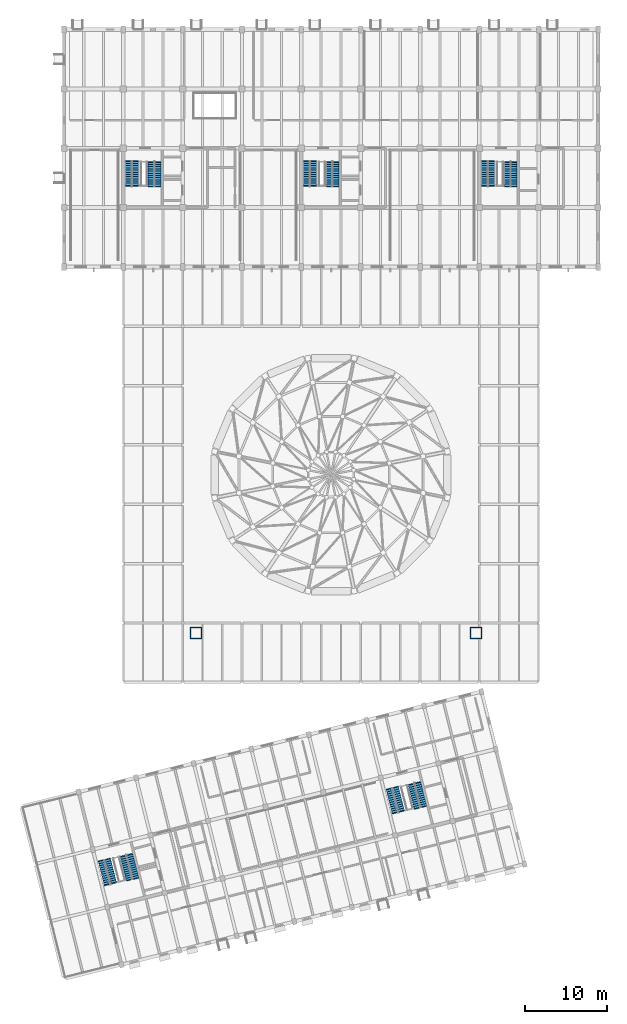
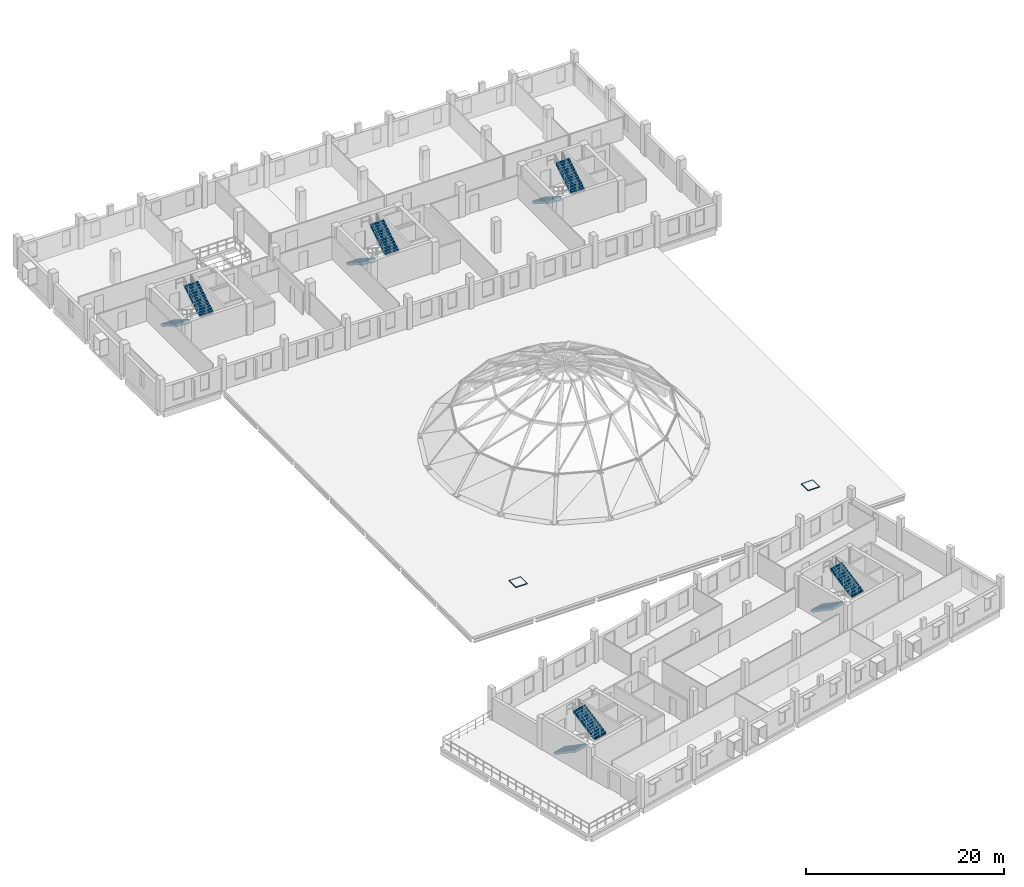
# One storey, part 30 of 32: 10 stair flights, 2 discrete accessories, 5 elements without a shape of their own.
"""IFC4 building model written with IfcOpenShell, lengths in metres."""

import ifcopenshell
import ifcopenshell.guid

model = None  # the IFC model being written
_history = None  # IfcOwnerHistory: only IFC2X3 demands one
_inside = {}  # id of a spatial element -> (the spatial element, [elements in it])
_under = {}  # id of a project, library or spatial element -> (it, [spatial elements below it])
_declared = {}  # id of a project -> (the project, [libraries it declares])
_typed = {}  # id of a type object -> (the type object, [elements of that type])
_made_of = {}  # id of a material, layer set ... -> (it, [elements and type objects made of it])


def new_model(schema):
    """Start an empty IFC model of exactly this schema.

    Asked for "IFC4X3", IfcOpenShell would pick the latest addendum, in which some entities
    have other attributes; the version numbers below select the first issue.
    IFC2X3 requires an IfcOwnerHistory on every rooted entity: one is made here for all.
    """
    global model, _history
    if schema == "IFC4X3":
        model = ifcopenshell.file(schema_version=(4, 3, 0, 0))
    else:
        model = ifcopenshell.file(schema=schema)
    _inside.clear()
    _under.clear()
    _declared.clear()
    _typed.clear()
    _made_of.clear()
    _history = None
    if model.schema == "IFC2X3":
        org = make("IfcOrganization", Name="unknown")
        user = make(
            "IfcPersonAndOrganization",
            ThePerson=make("IfcPerson", FamilyName="unknown"),
            TheOrganization=org,
        )
        app = make(
            "IfcApplication",
            ApplicationDeveloper=org,
            Version="unknown",
            ApplicationFullName="unknown",
            ApplicationIdentifier="unknown",
        )
        _history = make(
            "IfcOwnerHistory",
            OwningUser=user,
            OwningApplication=app,
            ChangeAction="ADDED",
            CreationDate=0,
        )
    return model


def make(cls, **values):
    """One entity of the class cls with the attributes given. An attribute that is None is left unset."""
    return model.create_entity(
        cls, **{name: value for name, value in values.items() if value is not None}
    )


def rooted(cls, **values):
    """An entity with a GlobalId (a new one), such as an element, a storey or a relation."""
    return make(cls, GlobalId=ifcopenshell.guid.new(), OwnerHistory=_history, **values)


def si_unit(unit_type, name, prefix=None):
    """IfcSIUnit, for example si_unit("LENGTHUNIT", "METRE", prefix="MILLI")."""
    return make("IfcSIUnit", UnitType=unit_type, Prefix=prefix, Name=name)


def assignment(units):
    """IfcUnitAssignment: the units of a project."""
    return None if units is None else make("IfcUnitAssignment", Units=units)


def point(xyz):
    """IfcCartesianPoint."""
    return None if xyz is None else make("IfcCartesianPoint", Coordinates=xyz)


def direction(xyz):
    """IfcDirection."""
    return None if xyz is None else make("IfcDirection", DirectionRatios=xyz)


def frame(location, z_axis=None, x_axis=None):
    """IfcAxis2Placement3D, a coordinate frame: its origin and axes. An axis left out is left unset."""
    return make(
        "IfcAxis2Placement3D",
        Location=point(location),
        Axis=direction(z_axis),
        RefDirection=direction(x_axis),
    )


def origin():
    """The frame at (0, 0, 0) with its axes left unset."""
    return frame((0.0, 0.0, 0.0))


def place(relative_to, where):
    """IfcLocalPlacement: puts the frame where relative to a parent placement (None: the world)."""
    return make(
        "IfcLocalPlacement", PlacementRelTo=relative_to, RelativePlacement=where
    )


def context(
    kind, dimensions, precision=None, world=None, true_north=None, identifier=None
):
    """IfcGeometricRepresentationContext, for example the 3D "Model" context."""
    return make(
        "IfcGeometricRepresentationContext",
        ContextIdentifier=identifier,
        ContextType=kind,
        CoordinateSpaceDimension=dimensions,
        Precision=precision,
        WorldCoordinateSystem=world,
        TrueNorth=true_north,
    )


def subcontext(parent, identifier, kind, view, scale=None):
    """IfcGeometricRepresentationSubContext, for example "Body" below "Model"."""
    return make(
        "IfcGeometricRepresentationSubContext",
        ContextIdentifier=identifier,
        ContextType=kind,
        ParentContext=parent,
        TargetScale=scale,
        TargetView=view,
    )


def project(units=None, contexts=None):
    """IfcProject with its units and contexts."""
    return rooted(
        "IfcProject",
        Name="project",
        RepresentationContexts=contexts,
        UnitsInContext=assignment(units),
    )


def spatial(cls, under=None, at=None, **own):
    """A site, building, storey or space (cls), placed at a placement, below another one or the project."""
    s = rooted(cls, ObjectPlacement=at, **own)
    if under is not None:
        _under.setdefault(under.id(), (under, []))[1].append(s)
    return s


def polyline(points):
    """IfcPolyline through the points."""
    return make("IfcPolyline", Points=[point(p) for p in points])


def outline(outer, holes=None, kind="AREA"):
    """IfcArbitraryClosedProfileDef: a profile drawn as a closed curve; with holes, ...WithVoids."""
    if holes is None:
        return make("IfcArbitraryClosedProfileDef", ProfileType=kind, OuterCurve=outer)
    return make(
        "IfcArbitraryProfileDefWithVoids",
        ProfileType=kind,
        OuterCurve=outer,
        InnerCurves=holes,
    )


def extrude(swept, where, along, depth):
    """IfcExtrudedAreaSolid: the profile swept, set in the frame where, extruded along a direction by depth."""
    return make(
        "IfcExtrudedAreaSolid",
        SweptArea=swept,
        Position=where,
        ExtrudedDirection=direction(along),
        Depth=depth,
    )


def shape(context_of_items, identifier, shape_type, items):
    """IfcShapeRepresentation: the items that make up one representation, for example the "Body"."""
    return make(
        "IfcShapeRepresentation",
        ContextOfItems=context_of_items,
        RepresentationIdentifier=identifier,
        RepresentationType=shape_type,
        Items=items,
    )


def material(Name=None, Category=None):
    """IfcMaterial."""
    return make("IfcMaterial", Name=Name, Category=Category)


def made_of(thing, what):
    """Note that an element or type object is made of a material, layer set ...; save() writes the relation."""
    if what is not None:
        _made_of.setdefault(what.id(), (what, []))[1].append(thing)
    return thing


def type_object(cls, material=None, **own):
    """A type object (cls), such as IfcWallType, which elements share."""
    return made_of(rooted(cls, **own), material)


def element(
    cls,
    number,
    at=None,
    inside=None,
    cuts=None,
    type_object=None,
    material=None,
    context=None,
    identifier="Body",
    shape_type=None,
    held_by="IfcProductDefinitionShape",
    body=None,
    shapes=None,
    **own,
):
    """One element of the class cls, such as IfcWall. Its Tag is "e" and its number.

    at: its placement. inside: the storey or other place that contains it. cuts: it is an
    opening in that element (IfcRelVoidsElement). A single representation is given by context,
    identifier, shape_type and body (its items); several are given by shapes. held_by: the class
    of the entity that holds the representations. save() writes the other relations.
    """
    e = rooted(cls, Tag="e%d" % number, ObjectPlacement=at, **own)
    if body is not None:
        shapes = [shape(context, identifier, shape_type, body)]
    if shapes is not None:
        e.Representation = make(held_by, Representations=shapes)
    if inside is not None:
        _inside.setdefault(inside.id(), (inside, []))[1].append(e)
    if cuts is not None:
        rooted(
            "IfcRelVoidsElement", RelatingBuildingElement=cuts, RelatedOpeningElement=e
        )
    if type_object is not None:
        _typed.setdefault(type_object.id(), (type_object, []))[1].append(e)
    return made_of(e, material)


def aggregate(whole, parts):
    """IfcRelAggregates: a whole, such as a stair, and the parts it consists of."""
    return rooted("IfcRelAggregates", RelatingObject=whole, RelatedObjects=parts)


def save(model, path):
    """Write the relations noted so far, then the file.

    IfcRelAggregates (storeys below a building ...), IfcRelContainedInSpatialStructure (elements
    in a storey), IfcRelDefinesByType, IfcRelAssociatesMaterial and IfcRelDeclares: one each for
    every whole, place, type object, material and project.
    """
    for whole, parts in _under.values():
        aggregate(whole, parts)
    for where, things in _inside.values():
        rooted(
            "IfcRelContainedInSpatialStructure",
            RelatedElements=things,
            RelatingStructure=where,
        )
    for kind, things in _typed.values():
        rooted("IfcRelDefinesByType", RelatedObjects=things, RelatingType=kind)
    for what, things in _made_of.values():
        rooted("IfcRelAssociatesMaterial", RelatedObjects=things, RelatingMaterial=what)
    for by, libraries in _declared.values():
        rooted("IfcRelDeclares", RelatingContext=by, RelatedDefinitions=libraries)
    model.write(path)


model = new_model("IFC4")

# Units and contexts
model_context = context("Model", 3, precision=1e-05, world=origin(), true_north=direction((0.0, 1.0)))
body_context = subcontext(model_context, "Body", "Model", "MODEL_VIEW")
ifc_project = project(units=[si_unit("LENGTHUNIT", "METRE"), si_unit("AREAUNIT", "SQUARE_METRE"), si_unit("VOLUMEUNIT", "CUBIC_METRE"), si_unit("PLANEANGLEUNIT", "RADIAN"), si_unit("MASSUNIT", "GRAM", prefix="KILO")], contexts=[model_context])

# Site, building, storey
site_placement = place(None, origin())
site = spatial("IfcSite", under=ifc_project, at=site_placement, CompositionType="ELEMENT")
building_placement = place(site_placement, origin())
building = spatial("IfcBuilding", under=site, at=building_placement, Name="Qiaolan Assembly House", CompositionType="ELEMENT")
storey_placement = place(building_placement, frame((0.0, 0.0, 18.60009765625)))
storey = spatial("IfcBuildingStorey", under=building, at=storey_placement, Name="L04", CompositionType="ELEMENT", Elevation=18.60009765625)

# Stair, stair flights
ifc_material = material(Name="Concrete C40/50", Category="concrete")
stair_type = type_object("IfcStairType", Name="STR-UPPER-390", PredefinedType="HALF_TURN_STAIR", material=ifc_material)
stair_1_placement = place(storey_placement, origin())
stair_1 = element("IfcStair", 1, at=stair_1_placement, inside=storey, type_object=stair_type, Name="ST-08 enclosed egress stair CORE-A L04", PredefinedType="HALF_TURN_STAIR")
stair_flight_type = type_object("IfcStairFlightType", Name="STR-UPPER-390-FLT", PredefinedType="STRAIGHT", material=ifc_material)
stair_flight_1_placement = place(storey_placement, frame((44.25, 99.2099609375, 0.0), z_axis=(0.0, 0.0, 1.0), x_axis=(0.0, -1.0, 0.0)))
stair_flight_1 = element("IfcStairFlight", 2, at=stair_flight_1_placement, type_object=stair_flight_type, Name="ST-08F stair flight FLT-CORE-A-L04-1", NumberOfRisers=12, NumberOfTreads=11, PredefinedType="STRAIGHT", RiserHeight=0.1625, TreadLength=0.265, context=body_context, shape_type="SweptSolid", body=[
    extrude(outline(polyline([(-0.10009765625, -0.1201171875), (-0.10009765625, 0.0), (0.0, 0.0), (0.0, 0.16259765625), (0.264892578125, 0.16259765625), (0.264892578125, 0.324951171875), (0.530029296875, 0.324951171875), (0.530029296875, 0.487548828125), (0.794921875, 0.487548828125), (0.794921875, 0.64990234375), (1.06005859375, 0.64990234375), (1.06005859375, 0.8125), (1.324951171875, 0.8125), (1.324951171875, 0.97509765625), (1.590087890625, 0.97509765625), (1.590087890625, 1.137451171875), (1.85498046875, 1.137451171875), (1.85498046875, 1.300048828125), (2.1201171875, 1.300048828125), (2.1201171875, 1.46240234375), (2.385009765625, 1.46240234375), (2.385009765625, 1.625), (2.64990234375, 1.625), (2.64990234375, 1.78759765625), (2.9150390625, 1.78759765625), (2.9150390625, 1.949951171875), (3.03515625, 1.949951171875), (3.03515625, 1.552978515625), (2.9150390625, 1.552978515625), (0.1865234375, -0.1201171875), (-0.10009765625, -0.1201171875)])), frame((0.0, 0.780029296875, 0.0), z_axis=(0.0, -1.0, 0.0), x_axis=(1.0, 0.0, 0.0)), (0.0, 0.0, 1.0), 1.56005859375),
])
stair_flight_2_placement = place(storey_placement, frame((47.0, 96.175048828125, 1.949951171875), z_axis=(0.0, 0.0, 1.0), x_axis=(0.0, 1.0, 0.0)))
stair_flight_2 = element("IfcStairFlight", 3, at=stair_flight_2_placement, type_object=stair_flight_type, Name="ST-08F stair flight FLT-CORE-A-L04-2", NumberOfRisers=12, NumberOfTreads=11, PredefinedType="STRAIGHT", RiserHeight=0.1625, TreadLength=0.265, context=body_context, shape_type="SweptSolid", body=[
    extrude(outline(polyline([(-0.10009765625, -0.1201171875), (-0.10009765625, 0.0), (0.0, 0.0), (0.0, 0.16259765625), (0.264892578125, 0.16259765625), (0.264892578125, 0.324951171875), (0.530029296875, 0.324951171875), (0.530029296875, 0.487548828125), (0.794921875, 0.487548828125), (0.794921875, 0.64990234375), (1.06005859375, 0.64990234375), (1.06005859375, 0.8125), (1.324951171875, 0.8125), (1.324951171875, 0.97509765625), (1.590087890625, 0.97509765625), (1.590087890625, 1.137451171875), (1.85498046875, 1.137451171875), (1.85498046875, 1.300048828125), (2.1201171875, 1.300048828125), (2.1201171875, 1.46240234375), (2.385009765625, 1.46240234375), (2.385009765625, 1.625), (2.64990234375, 1.625), (2.64990234375, 1.78759765625), (2.9150390625, 1.78759765625), (2.9150390625, 1.949951171875), (3.03515625, 1.949951171875), (3.03515625, 1.552978515625), (2.9150390625, 1.552978515625), (0.1865234375, -0.1201171875), (-0.10009765625, -0.1201171875)])), frame((0.0, 0.780029296875, 0.0), z_axis=(0.0, -1.0, 0.0), x_axis=(1.0, 0.0, 0.0)), (0.0, 0.0, 1.0), 1.56005859375),
])
aggregate(stair_1, [stair_flight_1, stair_flight_2])

stair_2_placement = place(storey_placement, origin())
stair_2 = element("IfcStair", 4, at=stair_2_placement, inside=storey, type_object=stair_type, Name="ST-08 enclosed egress stair CORE-B L04", PredefinedType="HALF_TURN_STAIR")
stair_flight_3_placement = place(storey_placement, frame((65.85009765625, 99.2099609375, 0.0), z_axis=(0.0, 0.0, 1.0), x_axis=(0.0, -1.0, 0.0)))
stair_flight_3 = element("IfcStairFlight", 5, at=stair_flight_3_placement, type_object=stair_flight_type, Name="ST-08F stair flight FLT-CORE-B-L04-1", NumberOfRisers=12, NumberOfTreads=11, PredefinedType="STRAIGHT", RiserHeight=0.1625, TreadLength=0.265, context=body_context, shape_type="SweptSolid", body=[
    extrude(outline(polyline([(-0.10009765625, -0.1201171875), (-0.10009765625, 0.0), (0.0, 0.0), (0.0, 0.16259765625), (0.264892578125, 0.16259765625), (0.264892578125, 0.324951171875), (0.530029296875, 0.324951171875), (0.530029296875, 0.487548828125), (0.794921875, 0.487548828125), (0.794921875, 0.64990234375), (1.06005859375, 0.64990234375), (1.06005859375, 0.8125), (1.324951171875, 0.8125), (1.324951171875, 0.97509765625), (1.590087890625, 0.97509765625), (1.590087890625, 1.137451171875), (1.85498046875, 1.137451171875), (1.85498046875, 1.300048828125), (2.1201171875, 1.300048828125), (2.1201171875, 1.46240234375), (2.385009765625, 1.46240234375), (2.385009765625, 1.625), (2.64990234375, 1.625), (2.64990234375, 1.78759765625), (2.9150390625, 1.78759765625), (2.9150390625, 1.949951171875), (3.03515625, 1.949951171875), (3.03515625, 1.552978515625), (2.9150390625, 1.552978515625), (0.1865234375, -0.1201171875), (-0.10009765625, -0.1201171875)])), frame((0.0, 0.780029296875, 0.0), z_axis=(0.0, -1.0, 0.0), x_axis=(1.0, 0.0, 0.0)), (0.0, 0.0, 1.0), 1.56005859375),
])
stair_flight_4_placement = place(storey_placement, frame((68.60009765625, 96.175048828125, 1.949951171875), z_axis=(0.0, 0.0, 1.0), x_axis=(0.0, 1.0, 0.0)))
stair_flight_4 = element("IfcStairFlight", 6, at=stair_flight_4_placement, type_object=stair_flight_type, Name="ST-08F stair flight FLT-CORE-B-L04-2", NumberOfRisers=12, NumberOfTreads=11, PredefinedType="STRAIGHT", RiserHeight=0.1625, TreadLength=0.265, context=body_context, shape_type="SweptSolid", body=[
    extrude(outline(polyline([(-0.10009765625, -0.1201171875), (-0.10009765625, 0.0), (0.0, 0.0), (0.0, 0.16259765625), (0.264892578125, 0.16259765625), (0.264892578125, 0.324951171875), (0.530029296875, 0.324951171875), (0.530029296875, 0.487548828125), (0.794921875, 0.487548828125), (0.794921875, 0.64990234375), (1.06005859375, 0.64990234375), (1.06005859375, 0.8125), (1.324951171875, 0.8125), (1.324951171875, 0.97509765625), (1.590087890625, 0.97509765625), (1.590087890625, 1.137451171875), (1.85498046875, 1.137451171875), (1.85498046875, 1.300048828125), (2.1201171875, 1.300048828125), (2.1201171875, 1.46240234375), (2.385009765625, 1.46240234375), (2.385009765625, 1.625), (2.64990234375, 1.625), (2.64990234375, 1.78759765625), (2.9150390625, 1.78759765625), (2.9150390625, 1.949951171875), (3.03515625, 1.949951171875), (3.03515625, 1.552978515625), (2.9150390625, 1.552978515625), (0.1865234375, -0.1201171875), (-0.10009765625, -0.1201171875)])), frame((0.0, 0.780029296875, 0.0), z_axis=(0.0, -1.0, 0.0), x_axis=(1.0, 0.0, 0.0)), (0.0, 0.0, 1.0), 1.56005859375),
])
aggregate(stair_2, [stair_flight_3, stair_flight_4])

stair_3_placement = place(storey_placement, origin())
stair_3 = element("IfcStair", 7, at=stair_3_placement, inside=storey, type_object=stair_type, Name="ST-08 enclosed egress stair CORE-G L04", PredefinedType="HALF_TURN_STAIR")
stair_flight_5_placement = place(storey_placement, frame((87.449951171875, 99.2099609375, 0.0), z_axis=(0.0, 0.0, 1.0), x_axis=(0.0, -1.0, 0.0)))
stair_flight_5 = element("IfcStairFlight", 8, at=stair_flight_5_placement, type_object=stair_flight_type, Name="ST-08F stair flight FLT-CORE-G-L04-1", NumberOfRisers=12, NumberOfTreads=11, PredefinedType="STRAIGHT", RiserHeight=0.1625, TreadLength=0.265, context=body_context, shape_type="SweptSolid", body=[
    extrude(outline(polyline([(-0.10009765625, -0.1201171875), (-0.10009765625, 0.0), (0.0, 0.0), (0.0, 0.16259765625), (0.264892578125, 0.16259765625), (0.264892578125, 0.324951171875), (0.530029296875, 0.324951171875), (0.530029296875, 0.487548828125), (0.794921875, 0.487548828125), (0.794921875, 0.64990234375), (1.06005859375, 0.64990234375), (1.06005859375, 0.8125), (1.324951171875, 0.8125), (1.324951171875, 0.97509765625), (1.590087890625, 0.97509765625), (1.590087890625, 1.137451171875), (1.85498046875, 1.137451171875), (1.85498046875, 1.300048828125), (2.1201171875, 1.300048828125), (2.1201171875, 1.46240234375), (2.385009765625, 1.46240234375), (2.385009765625, 1.625), (2.64990234375, 1.625), (2.64990234375, 1.78759765625), (2.9150390625, 1.78759765625), (2.9150390625, 1.949951171875), (3.03515625, 1.949951171875), (3.03515625, 1.552978515625), (2.9150390625, 1.552978515625), (0.1865234375, -0.1201171875), (-0.10009765625, -0.1201171875)])), frame((0.0, 0.780029296875, 0.0), z_axis=(0.0, -1.0, 0.0), x_axis=(1.0, 0.0, 0.0)), (0.0, 0.0, 1.0), 1.56005859375),
])
stair_flight_6_placement = place(storey_placement, frame((90.199951171875, 96.175048828125, 1.949951171875), z_axis=(0.0, 0.0, 1.0), x_axis=(0.0, 1.0, 0.0)))
stair_flight_6 = element("IfcStairFlight", 9, at=stair_flight_6_placement, type_object=stair_flight_type, Name="ST-08F stair flight FLT-CORE-G-L04-2", NumberOfRisers=12, NumberOfTreads=11, PredefinedType="STRAIGHT", RiserHeight=0.1625, TreadLength=0.265, context=body_context, shape_type="SweptSolid", body=[
    extrude(outline(polyline([(-0.10009765625, -0.1201171875), (-0.10009765625, 0.0), (0.0, 0.0), (0.0, 0.16259765625), (0.264892578125, 0.16259765625), (0.264892578125, 0.324951171875), (0.530029296875, 0.324951171875), (0.530029296875, 0.487548828125), (0.794921875, 0.487548828125), (0.794921875, 0.64990234375), (1.06005859375, 0.64990234375), (1.06005859375, 0.8125), (1.324951171875, 0.8125), (1.324951171875, 0.97509765625), (1.590087890625, 0.97509765625), (1.590087890625, 1.137451171875), (1.85498046875, 1.137451171875), (1.85498046875, 1.300048828125), (2.1201171875, 1.300048828125), (2.1201171875, 1.46240234375), (2.385009765625, 1.46240234375), (2.385009765625, 1.625), (2.64990234375, 1.625), (2.64990234375, 1.78759765625), (2.9150390625, 1.78759765625), (2.9150390625, 1.949951171875), (3.03515625, 1.949951171875), (3.03515625, 1.552978515625), (2.9150390625, 1.552978515625), (0.1865234375, -0.1201171875), (-0.10009765625, -0.1201171875)])), frame((0.0, 0.780029296875, 0.0), z_axis=(0.0, -1.0, 0.0), x_axis=(1.0, 0.0, 0.0)), (0.0, 0.0, 1.0), 1.56005859375),
])
aggregate(stair_3, [stair_flight_5, stair_flight_6])

stair_4_placement = place(storey_placement, origin())
stair_4 = element("IfcStair", 10, at=stair_4_placement, inside=storey, type_object=stair_type, Name="ST-08 enclosed egress stair CORE-C L04", PredefinedType="HALF_TURN_STAIR")
stair_flight_7_placement = place(storey_placement, frame((40.906005859375, 14.42529296875, 0.0), z_axis=(0.0, 0.0, 1.0), x_axis=(0.241921878665, -0.970295730498, 0.0)))
stair_flight_7 = element("IfcStairFlight", 11, at=stair_flight_7_placement, type_object=stair_flight_type, Name="ST-08F stair flight FLT-CORE-C-L04-1", NumberOfRisers=12, NumberOfTreads=11, PredefinedType="STRAIGHT", RiserHeight=0.1625, TreadLength=0.265, context=body_context, shape_type="SweptSolid", body=[
    extrude(outline(polyline([(-0.10009765625, -0.1201171875), (-0.10009765625, 0.0), (0.0, 0.0), (0.0, 0.16259765625), (0.264892578125, 0.16259765625), (0.264892578125, 0.324951171875), (0.530029296875, 0.324951171875), (0.530029296875, 0.487548828125), (0.794921875, 0.487548828125), (0.794921875, 0.64990234375), (1.06005859375, 0.64990234375), (1.06005859375, 0.8125), (1.324951171875, 0.8125), (1.324951171875, 0.97509765625), (1.590087890625, 0.97509765625), (1.590087890625, 1.137451171875), (1.85498046875, 1.137451171875), (1.85498046875, 1.300048828125), (2.1201171875, 1.300048828125), (2.1201171875, 1.46240234375), (2.385009765625, 1.46240234375), (2.385009765625, 1.625), (2.64990234375, 1.625), (2.64990234375, 1.78759765625), (2.9150390625, 1.78759765625), (2.9150390625, 1.949951171875), (3.03515625, 1.949951171875), (3.03515625, 1.552978515625), (2.9150390625, 1.552978515625), (0.1865234375, -0.1201171875), (-0.10009765625, -0.1201171875)])), frame((0.0, 0.780029296875, 0.0), z_axis=(0.0, -1.0, 0.0), x_axis=(1.0, 0.0, 0.0)), (0.0, 0.0, 1.0), 1.56005859375),
])
stair_flight_8_placement = place(storey_placement, frame((44.308349609375, 12.145751953125, 1.949951171875), z_axis=(0.0, 0.0, 1.0), x_axis=(-0.241921641577, 0.970295789611, 0.0)))
stair_flight_8 = element("IfcStairFlight", 12, at=stair_flight_8_placement, type_object=stair_flight_type, Name="ST-08F stair flight FLT-CORE-C-L04-2", NumberOfRisers=12, NumberOfTreads=11, PredefinedType="STRAIGHT", RiserHeight=0.1625, TreadLength=0.265, context=body_context, shape_type="SweptSolid", body=[
    extrude(outline(polyline([(-0.10009765625, -0.1201171875), (-0.10009765625, 0.0), (0.0, 0.0), (0.0, 0.16259765625), (0.264892578125, 0.16259765625), (0.264892578125, 0.324951171875), (0.530029296875, 0.324951171875), (0.530029296875, 0.487548828125), (0.794921875, 0.487548828125), (0.794921875, 0.64990234375), (1.06005859375, 0.64990234375), (1.06005859375, 0.8125), (1.324951171875, 0.8125), (1.324951171875, 0.97509765625), (1.590087890625, 0.97509765625), (1.590087890625, 1.137451171875), (1.85498046875, 1.137451171875), (1.85498046875, 1.300048828125), (2.1201171875, 1.300048828125), (2.1201171875, 1.46240234375), (2.385009765625, 1.46240234375), (2.385009765625, 1.625), (2.64990234375, 1.625), (2.64990234375, 1.78759765625), (2.9150390625, 1.78759765625), (2.9150390625, 1.949951171875), (3.03515625, 1.949951171875), (3.03515625, 1.552978515625), (2.9150390625, 1.552978515625), (0.1865234375, -0.1201171875), (-0.10009765625, -0.1201171875)])), frame((0.0, 0.780029296875, 0.0), z_axis=(0.0, -1.0, 0.0), x_axis=(1.0, 0.0, 0.0)), (0.0, 0.0, 1.0), 1.56005859375),
])
aggregate(stair_4, [stair_flight_7, stair_flight_8])

stair_5_placement = place(storey_placement, origin())
stair_5 = element("IfcStair", 13, at=stair_5_placement, inside=storey, type_object=stair_type, Name="ST-08 enclosed egress stair CORE-D L04", PredefinedType="HALF_TURN_STAIR")
stair_flight_9_placement = place(storey_placement, frame((75.836669921875, 23.134521484375, 0.0), z_axis=(0.0, 0.0, 1.0), x_axis=(0.241921946404, -0.970295713609, 0.0)))
stair_flight_9 = element("IfcStairFlight", 14, at=stair_flight_9_placement, type_object=stair_flight_type, Name="ST-08F stair flight FLT-CORE-D-L04-1", NumberOfRisers=12, NumberOfTreads=11, PredefinedType="STRAIGHT", RiserHeight=0.1625, TreadLength=0.265, context=body_context, shape_type="SweptSolid", body=[
    extrude(outline(polyline([(-0.10009765625, -0.1201171875), (-0.10009765625, 0.0), (0.0, 0.0), (0.0, 0.16259765625), (0.264892578125, 0.16259765625), (0.264892578125, 0.324951171875), (0.530029296875, 0.324951171875), (0.530029296875, 0.487548828125), (0.794921875, 0.487548828125), (0.794921875, 0.64990234375), (1.06005859375, 0.64990234375), (1.06005859375, 0.8125), (1.324951171875, 0.8125), (1.324951171875, 0.97509765625), (1.590087890625, 0.97509765625), (1.590087890625, 1.137451171875), (1.85498046875, 1.137451171875), (1.85498046875, 1.300048828125), (2.1201171875, 1.300048828125), (2.1201171875, 1.46240234375), (2.385009765625, 1.46240234375), (2.385009765625, 1.625), (2.64990234375, 1.625), (2.64990234375, 1.78759765625), (2.9150390625, 1.78759765625), (2.9150390625, 1.949951171875), (3.03515625, 1.949951171875), (3.03515625, 1.552978515625), (2.9150390625, 1.552978515625), (0.1865234375, -0.1201171875), (-0.10009765625, -0.1201171875)])), frame((0.0, 0.780029296875, 0.0), z_axis=(0.0, -1.0, 0.0), x_axis=(1.0, 0.0, 0.0)), (0.0, 0.0, 1.0), 1.56005859375),
])
stair_flight_10_placement = place(storey_placement, frame((79.239013671875, 20.85498046875, 1.949951171875), z_axis=(0.0, 0.0, 1.0), x_axis=(-0.241921946404, 0.970295713609, 0.0)))
stair_flight_10 = element("IfcStairFlight", 15, at=stair_flight_10_placement, type_object=stair_flight_type, Name="ST-08F stair flight FLT-CORE-D-L04-2", NumberOfRisers=12, NumberOfTreads=11, PredefinedType="STRAIGHT", RiserHeight=0.1625, TreadLength=0.265, context=body_context, shape_type="SweptSolid", body=[
    extrude(outline(polyline([(-0.10009765625, -0.1201171875), (-0.10009765625, 0.0), (0.0, 0.0), (0.0, 0.16259765625), (0.264892578125, 0.16259765625), (0.264892578125, 0.324951171875), (0.530029296875, 0.324951171875), (0.530029296875, 0.487548828125), (0.794921875, 0.487548828125), (0.794921875, 0.64990234375), (1.06005859375, 0.64990234375), (1.06005859375, 0.8125), (1.324951171875, 0.8125), (1.324951171875, 0.97509765625), (1.590087890625, 0.97509765625), (1.590087890625, 1.137451171875), (1.85498046875, 1.137451171875), (1.85498046875, 1.300048828125), (2.1201171875, 1.300048828125), (2.1201171875, 1.46240234375), (2.385009765625, 1.46240234375), (2.385009765625, 1.625), (2.64990234375, 1.625), (2.64990234375, 1.78759765625), (2.9150390625, 1.78759765625), (2.9150390625, 1.949951171875), (3.03515625, 1.949951171875), (3.03515625, 1.552978515625), (2.9150390625, 1.552978515625), (0.1865234375, -0.1201171875), (-0.10009765625, -0.1201171875)])), frame((0.0, 0.780029296875, 0.0), z_axis=(0.0, -1.0, 0.0), x_axis=(1.0, 0.0, 0.0)), (0.0, 0.0, 1.0), 1.56005859375),
])
aggregate(stair_5, [stair_flight_9, stair_flight_10])

# Discrete accessories
for number, where, name in (
    (16, (52.0, 42.0, 0.0), "RH-01 insulated aluminium thermal upstand curb HTH-HL-4"),
    (17, (86.0, 42.0, 0.0), "RH-01 insulated aluminium thermal upstand curb HTH-HL-5"),
):
    element("IfcDiscreteAccessory", number, at=place(storey_placement, frame(where)), inside=storey, Name=name, ObjectType="ROOF_HATCH_CURB", PredefinedType="USERDEFINED", context=body_context, shape_type="SweptSolid", body=[
        extrude(outline(polyline([(-0.699951171875, -0.699951171875), (0.699951171875, -0.699951171875), (0.699951171875, 0.699951171875), (-0.699951171875, 0.699951171875), (-0.699951171875, -0.699951171875)]), holes=[polyline([(-0.639892578125, -0.639892578125), (-0.639892578125, 0.639892578125), (0.639892578125, 0.639892578125), (0.639892578125, -0.639892578125), (-0.639892578125, -0.639892578125)])]), origin(), (0.0, 0.0, 1.0), 0.10009765625),
    ])

save(model, "model.ifc")
